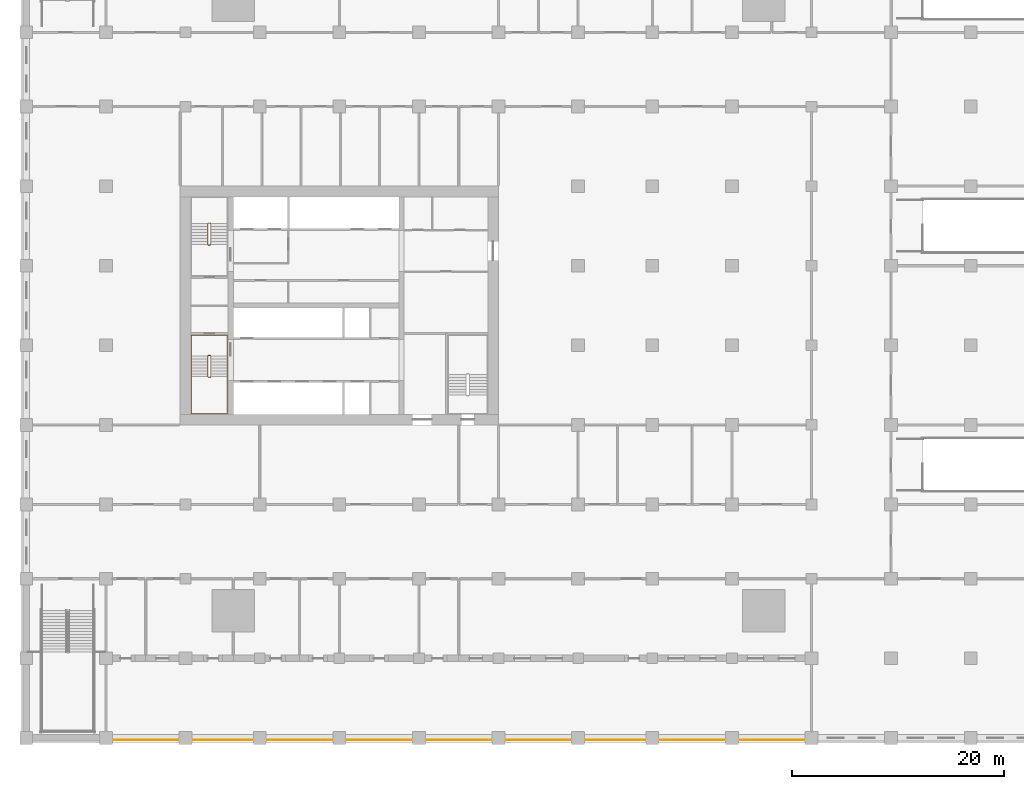
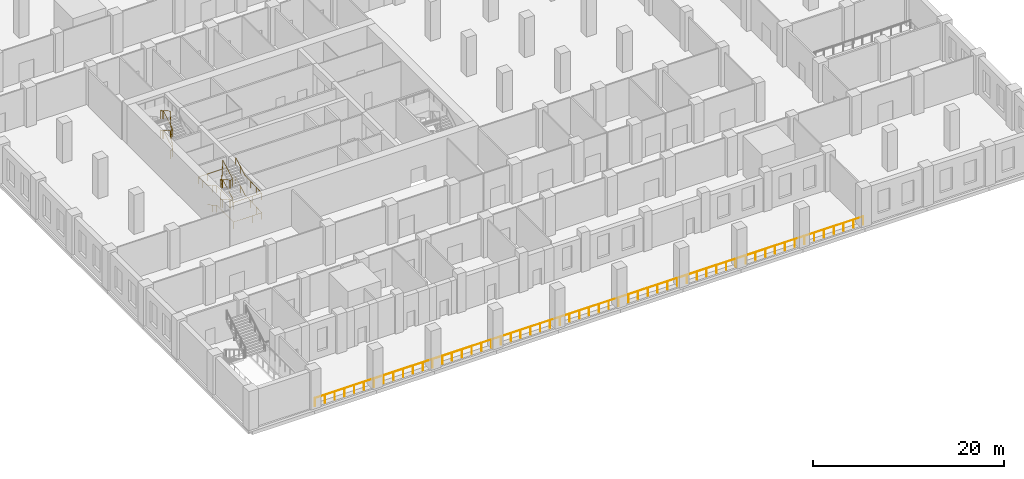
# One storey, part 18 of 22: 4 railings.
"""IFC4 building model written with IfcOpenShell, lengths in metres."""

from ifc_helpers import new_model, si_unit, direction, frame, origin, origin_2d, place, context, subcontext, project, spatial, circle, extrude, material, type_object, element, save


model = new_model("IFC4")

# Units and contexts
model_context = context("Model", 3, precision=1e-05, world=origin(), true_north=direction((0.0, 1.0)))
body_context = subcontext(model_context, "Body", "Model", "MODEL_VIEW")
ifc_project = project(units=[si_unit("LENGTHUNIT", "METRE"), si_unit("AREAUNIT", "SQUARE_METRE"), si_unit("VOLUMEUNIT", "CUBIC_METRE"), si_unit("PLANEANGLEUNIT", "RADIAN"), si_unit("MASSUNIT", "GRAM", prefix="KILO")], contexts=[model_context])

# Site, building, storey
site_placement = place(None, origin())
site = spatial("IfcSite", under=ifc_project, at=site_placement, CompositionType="ELEMENT")
building_placement = place(site_placement, origin())
building = spatial("IfcBuilding", under=site, at=building_placement, Name="Tamorin Gate", CompositionType="ELEMENT")
storey_placement = place(building_placement, frame((0.0, 0.0, 29.0)))
storey = spatial("IfcBuildingStorey", under=building, at=storey_placement, Name="L05", CompositionType="ELEMENT", Elevation=29.0)

# Railings
ifc_material_1 = material(Name="Steel", Category="steel")
railing_type_1 = type_object("IfcRailingType", Name="Podium guard 1100", PredefinedType="GUARDRAIL", material=ifc_material_1)
railing_1_placement = place(storey_placement, frame((23.14990234375, 30.300048828125, 0.0)))
element("IfcRailing", 1, at=railing_1_placement, inside=storey, type_object=railing_type_1, Name="Garden terrace guard", PredefinedType="GUARDRAIL", context=body_context, shape_type="SweptSolid", body=[
    extrude(circle(Radius=0.02392578125, at=origin_2d()), frame((0.0, 0.0, 1.076171875), z_axis=(1.0, 0.0, 0.0), x_axis=(0.0, 1.0, 0.0)), (0.0, 0.0, 1.0), 66.2001953125),
    extrude(circle(Radius=0.02099609375, at=origin_2d()), origin(), (0.0, 0.0, 1.0), 1.052001953125),
    extrude(circle(Radius=0.02099609375, at=origin_2d()), frame((1.18212890625, 0.0, 0.0)), (0.0, 0.0, 1.0), 1.052001953125),
    extrude(circle(Radius=0.02099609375, at=origin_2d()), frame((2.3642578125, 0.0, 0.0)), (0.0, 0.0, 1.0), 1.052001953125),
    extrude(circle(Radius=0.02099609375, at=origin_2d()), frame((3.54638671875, 0.0, 0.0)), (0.0, 0.0, 1.0), 1.052001953125),
    extrude(circle(Radius=0.02099609375, at=origin_2d()), frame((4.728515625, 0.0, 0.0)), (0.0, 0.0, 1.0), 1.052001953125),
    extrude(circle(Radius=0.02099609375, at=origin_2d()), frame((5.91064453125, 0.0, 0.0)), (0.0, 0.0, 1.0), 1.052001953125),
    extrude(circle(Radius=0.02099609375, at=origin_2d()), frame((7.0927734375, 0.0, 0.0)), (0.0, 0.0, 1.0), 1.052001953125),
    extrude(circle(Radius=0.02099609375, at=origin_2d()), frame((8.27490234375, 0.0, 0.0)), (0.0, 0.0, 1.0), 1.052001953125),
    extrude(circle(Radius=0.02099609375, at=origin_2d()), frame((9.457275390625, 0.0, 0.0)), (0.0, 0.0, 1.0), 1.052001953125),
    extrude(circle(Radius=0.02099609375, at=origin_2d()), frame((10.639404296875, 0.0, 0.0)), (0.0, 0.0, 1.0), 1.052001953125),
    extrude(circle(Radius=0.02099609375, at=origin_2d()), frame((11.821533203125, 0.0, 0.0)), (0.0, 0.0, 1.0), 1.052001953125),
    extrude(circle(Radius=0.02099609375, at=origin_2d()), frame((13.003662109375, 0.0, 0.0)), (0.0, 0.0, 1.0), 1.052001953125),
    extrude(circle(Radius=0.02099609375, at=origin_2d()), frame((14.185791015625, 0.0, 0.0)), (0.0, 0.0, 1.0), 1.052001953125),
    extrude(circle(Radius=0.02099609375, at=origin_2d()), frame((15.367919921875, 0.0, 0.0)), (0.0, 0.0, 1.0), 1.052001953125),
    extrude(circle(Radius=0.02099609375, at=origin_2d()), frame((16.550048828125, 0.0, 0.0)), (0.0, 0.0, 1.0), 1.052001953125),
    extrude(circle(Radius=0.02099609375, at=origin_2d()), frame((17.732177734375, 0.0, 0.0)), (0.0, 0.0, 1.0), 1.052001953125),
    extrude(circle(Radius=0.02099609375, at=origin_2d()), frame((18.914306640625, 0.0, 0.0)), (0.0, 0.0, 1.0), 1.052001953125),
    extrude(circle(Radius=0.02099609375, at=origin_2d()), frame((20.096435546875, 0.0, 0.0)), (0.0, 0.0, 1.0), 1.052001953125),
    extrude(circle(Radius=0.02099609375, at=origin_2d()), frame((21.278564453125, 0.0, 0.0)), (0.0, 0.0, 1.0), 1.052001953125),
    extrude(circle(Radius=0.02099609375, at=origin_2d()), frame((22.460693359375, 0.0, 0.0)), (0.0, 0.0, 1.0), 1.052001953125),
    extrude(circle(Radius=0.02099609375, at=origin_2d()), frame((23.642822265625, 0.0, 0.0)), (0.0, 0.0, 1.0), 1.052001953125),
    extrude(circle(Radius=0.02099609375, at=origin_2d()), frame((24.8251953125, 0.0, 0.0)), (0.0, 0.0, 1.0), 1.052001953125),
    extrude(circle(Radius=0.02099609375, at=origin_2d()), frame((26.00732421875, 0.0, 0.0)), (0.0, 0.0, 1.0), 1.052001953125),
    extrude(circle(Radius=0.02099609375, at=origin_2d()), frame((27.189453125, 0.0, 0.0)), (0.0, 0.0, 1.0), 1.052001953125),
    extrude(circle(Radius=0.02099609375, at=origin_2d()), frame((28.37158203125, 0.0, 0.0)), (0.0, 0.0, 1.0), 1.052001953125),
    extrude(circle(Radius=0.02099609375, at=origin_2d()), frame((29.5537109375, 0.0, 0.0)), (0.0, 0.0, 1.0), 1.052001953125),
    extrude(circle(Radius=0.02099609375, at=origin_2d()), frame((30.73583984375, 0.0, 0.0)), (0.0, 0.0, 1.0), 1.052001953125),
    extrude(circle(Radius=0.02099609375, at=origin_2d()), frame((31.91796875, 0.0, 0.0)), (0.0, 0.0, 1.0), 1.052001953125),
    extrude(circle(Radius=0.02099609375, at=origin_2d()), frame((33.10009765625, 0.0, 0.0)), (0.0, 0.0, 1.0), 1.052001953125),
    extrude(circle(Radius=0.02099609375, at=origin_2d()), frame((34.2822265625, 0.0, 0.0)), (0.0, 0.0, 1.0), 1.052001953125),
    extrude(circle(Radius=0.02099609375, at=origin_2d()), frame((35.46435546875, 0.0, 0.0)), (0.0, 0.0, 1.0), 1.052001953125),
    extrude(circle(Radius=0.02099609375, at=origin_2d()), frame((36.646484375, 0.0, 0.0)), (0.0, 0.0, 1.0), 1.052001953125),
    extrude(circle(Radius=0.02099609375, at=origin_2d()), frame((37.82861328125, 0.0, 0.0)), (0.0, 0.0, 1.0), 1.052001953125),
    extrude(circle(Radius=0.02099609375, at=origin_2d()), frame((39.0107421875, 0.0, 0.0)), (0.0, 0.0, 1.0), 1.052001953125),
    extrude(circle(Radius=0.02099609375, at=origin_2d()), frame((40.19287109375, 0.0, 0.0)), (0.0, 0.0, 1.0), 1.052001953125),
    extrude(circle(Radius=0.02099609375, at=origin_2d()), frame((41.375, 0.0, 0.0)), (0.0, 0.0, 1.0), 1.052001953125),
    extrude(circle(Radius=0.02099609375, at=origin_2d()), frame((42.557373046875, 0.0, 0.0)), (0.0, 0.0, 1.0), 1.052001953125),
    extrude(circle(Radius=0.02099609375, at=origin_2d()), frame((43.739501953125, 0.0, 0.0)), (0.0, 0.0, 1.0), 1.052001953125),
    extrude(circle(Radius=0.02099609375, at=origin_2d()), frame((44.921630859375, 0.0, 0.0)), (0.0, 0.0, 1.0), 1.052001953125),
    extrude(circle(Radius=0.02099609375, at=origin_2d()), frame((46.103759765625, 0.0, 0.0)), (0.0, 0.0, 1.0), 1.052001953125),
    extrude(circle(Radius=0.02099609375, at=origin_2d()), frame((47.285888671875, 0.0, 0.0)), (0.0, 0.0, 1.0), 1.052001953125),
    extrude(circle(Radius=0.02099609375, at=origin_2d()), frame((48.468017578125, 0.0, 0.0)), (0.0, 0.0, 1.0), 1.052001953125),
    extrude(circle(Radius=0.02099609375, at=origin_2d()), frame((49.650146484375, 0.0, 0.0)), (0.0, 0.0, 1.0), 1.052001953125),
    extrude(circle(Radius=0.02099609375, at=origin_2d()), frame((50.832275390625, 0.0, 0.0)), (0.0, 0.0, 1.0), 1.052001953125),
    extrude(circle(Radius=0.02099609375, at=origin_2d()), frame((52.014404296875, 0.0, 0.0)), (0.0, 0.0, 1.0), 1.052001953125),
    extrude(circle(Radius=0.02099609375, at=origin_2d()), frame((53.196533203125, 0.0, 0.0)), (0.0, 0.0, 1.0), 1.052001953125),
    extrude(circle(Radius=0.02099609375, at=origin_2d()), frame((54.378662109375, 0.0, 0.0)), (0.0, 0.0, 1.0), 1.052001953125),
    extrude(circle(Radius=0.02099609375, at=origin_2d()), frame((55.560791015625, 0.0, 0.0)), (0.0, 0.0, 1.0), 1.052001953125),
    extrude(circle(Radius=0.02099609375, at=origin_2d()), frame((56.742919921875, 0.0, 0.0)), (0.0, 0.0, 1.0), 1.052001953125),
    extrude(circle(Radius=0.02099609375, at=origin_2d()), frame((57.92529296875, 0.0, 0.0)), (0.0, 0.0, 1.0), 1.052001953125),
    extrude(circle(Radius=0.02099609375, at=origin_2d()), frame((59.107421875, 0.0, 0.0)), (0.0, 0.0, 1.0), 1.052001953125),
    extrude(circle(Radius=0.02099609375, at=origin_2d()), frame((60.28955078125, 0.0, 0.0)), (0.0, 0.0, 1.0), 1.052001953125),
    extrude(circle(Radius=0.02099609375, at=origin_2d()), frame((61.4716796875, 0.0, 0.0)), (0.0, 0.0, 1.0), 1.052001953125),
    extrude(circle(Radius=0.02099609375, at=origin_2d()), frame((62.65380859375, 0.0, 0.0)), (0.0, 0.0, 1.0), 1.052001953125),
    extrude(circle(Radius=0.02099609375, at=origin_2d()), frame((63.8359375, 0.0, 0.0)), (0.0, 0.0, 1.0), 1.052001953125),
    extrude(circle(Radius=0.02099609375, at=origin_2d()), frame((65.01806640625, 0.0, 0.0)), (0.0, 0.0, 1.0), 1.052001953125),
    extrude(circle(Radius=0.02099609375, at=origin_2d()), frame((66.2001953125, 0.0, 0.0)), (0.0, 0.0, 1.0), 1.052001953125),
])
ifc_material_2 = material(Name="Painted steel balustrade", Category="steel")
railing_type_2 = type_object("IfcRailingType", Name="Stair guard 1100", PredefinedType="GUARDRAIL", material=ifc_material_2)
railing_2_placement = place(storey_placement, frame((32.60009765625, 66.5, 0.15625)))
element("IfcRailing", 2, at=railing_2_placement, inside=storey, type_object=railing_type_2, Name="L05 ST1 stair guard 1", PredefinedType="GUARDRAIL", context=body_context, shape_type="SweptSolid", body=[
    extrude(circle(Radius=0.02392578125, at=origin_2d()), frame((0.0, 0.0, 1.076171875), z_axis=(0.0, -0.873232148454, 0.487304437602), x_axis=(1.0, 0.0, 0.0)), (0.0, 0.0, 1.0), 2.244384765625),
    extrude(circle(Radius=0.02392578125, at=origin_2d()), frame((0.0, -1.9599609375, 2.169921875), z_axis=(0.705375805398, -0.708833529934, 0.0), x_axis=(0.708833529934, 0.705375805398, 0.0)), (0.0, 0.0, 1.0), 0.070556640625),
    extrude(circle(Radius=0.02392578125, at=origin_2d()), frame((0.0498046875, -2.010009765625, 2.169921875), z_axis=(1.0, 0.0, 0.0), x_axis=(0.0, 1.0, 0.0)), (0.0, 0.0, 1.0), 0.2001953125),
    extrude(circle(Radius=0.02392578125, at=origin_2d()), frame((0.25, -2.010009765625, 2.169921875), z_axis=(0.290469530425, 0.291893400672, 0.911276958196), x_axis=(-0.708833529934, 0.705375805398, 0.0)), (0.0, 0.0, 1.0), 0.17138671875),
    extrude(circle(Radius=0.02392578125, at=origin_2d()), frame((0.2998046875, -1.9599609375, 2.326171875), z_axis=(0.0, 0.873232148454, 0.487304437602), x_axis=(-1.0, 0.0, 0.0)), (0.0, 0.0, 1.0), 2.244384765625),
    extrude(circle(Radius=0.02392578125, at=origin_2d()), frame((0.2998046875, 0.0, 3.419921875), z_axis=(-0.98054382908, 0.196300278283, 0.0), x_axis=(-0.196300278283, -0.98054382908, 0.0)), (0.0, 0.0, 1.0), 0.2548828125),
    extrude(circle(Radius=0.02392578125, at=origin_2d()), frame((0.0498046875, 0.050048828125, 3.419921875), z_axis=(1.0, 0.0, 0.0), x_axis=(0.0, 1.0, 0.0)), (0.0, 0.0, 1.0), 0.2001953125),
    extrude(circle(Radius=0.02392578125, at=origin_2d()), frame((0.25, 0.050048828125, 3.419921875), z_axis=(-0.836036486302, -0.167370585637, 0.522522803939), x_axis=(0.196300278283, -0.98054382908, 0.0)), (0.0, 0.0, 1.0), 0.299072265625),
    extrude(circle(Radius=0.02392578125, at=origin_2d()), frame((0.0, 0.0, 3.576171875), z_axis=(0.0, -0.873232148454, 0.487304437602), x_axis=(1.0, 0.0, 0.0)), (0.0, 0.0, 1.0), 2.244384765625),
    extrude(circle(Radius=0.02392578125, at=origin_2d()), frame((0.0, -1.9599609375, 4.669921875), z_axis=(0.705375805398, -0.708833529934, 0.0), x_axis=(0.708833529934, 0.705375805398, 0.0)), (0.0, 0.0, 1.0), 0.070556640625),
    extrude(circle(Radius=0.02392578125, at=origin_2d()), frame((0.0498046875, -2.010009765625, 4.669921875), z_axis=(1.0, 0.0, 0.0), x_axis=(0.0, 1.0, 0.0)), (0.0, 0.0, 1.0), 0.2001953125),
    extrude(circle(Radius=0.02392578125, at=origin_2d()), frame((0.25, -2.010009765625, 4.669921875), z_axis=(0.290469530425, 0.291893400672, 0.911276958196), x_axis=(-0.708833529934, 0.705375805398, 0.0)), (0.0, 0.0, 1.0), 0.17138671875),
    extrude(circle(Radius=0.02392578125, at=origin_2d()), frame((0.2998046875, -1.9599609375, 4.826171875), z_axis=(0.0, 0.873232148454, 0.487304437602), x_axis=(-1.0, 0.0, 0.0)), (0.0, 0.0, 1.0), 2.244384765625),
    extrude(circle(Radius=0.02392578125, at=origin_2d()), frame((0.2998046875, 0.0, 5.919921875), z_axis=(-0.04993512161, 0.009996777275, -0.998702432196), x_axis=(-0.196300278283, -0.98054382908, 0.0)), (0.0, 0.0, 1.0), 5.006591796875),
    extrude(circle(Radius=0.02392578125, at=origin_2d()), frame((0.0498046875, 0.050048828125, 0.919921875), z_axis=(1.0, 0.0, 0.0), x_axis=(0.0, 1.0, 0.0)), (0.0, 0.0, 1.0), 0.2001953125),
    extrude(circle(Radius=0.02099609375, at=origin_2d()), origin(), (0.0, 0.0, 1.0), 1.052001953125),
    extrude(circle(Radius=0.02099609375, at=origin_2d()), frame((0.0, -0.97998046875, 0.546875)), (0.0, 0.0, 1.0), 1.052001953125),
    extrude(circle(Radius=0.02099609375, at=origin_2d()), frame((0.0, -1.9599609375, 1.09375)), (0.0, 0.0, 1.0), 1.052001953125),
    extrude(circle(Radius=0.02099609375, at=origin_2d()), frame((0.0498046875, -2.010009765625, 1.09375)), (0.0, 0.0, 1.0), 1.052001953125),
    extrude(circle(Radius=0.02099609375, at=origin_2d()), frame((0.25, -2.010009765625, 1.09375)), (0.0, 0.0, 1.0), 1.052001953125),
    extrude(circle(Radius=0.02099609375, at=origin_2d()), frame((0.2998046875, -1.9599609375, 1.25)), (0.0, 0.0, 1.0), 1.052001953125),
    extrude(circle(Radius=0.02099609375, at=origin_2d()), frame((0.2998046875, -0.97998046875, 1.796875)), (0.0, 0.0, 1.0), 1.052001953125),
    extrude(circle(Radius=0.02099609375, at=origin_2d()), frame((0.2998046875, 0.0, 2.34375)), (0.0, 0.0, 1.0), 1.052001953125),
    extrude(circle(Radius=0.02099609375, at=origin_2d()), frame((0.0498046875, 0.050048828125, 2.34375)), (0.0, 0.0, 1.0), 1.052001953125),
    extrude(circle(Radius=0.02099609375, at=origin_2d()), frame((0.25, 0.050048828125, 2.34375)), (0.0, 0.0, 1.0), 1.052001953125),
    extrude(circle(Radius=0.02099609375, at=origin_2d()), frame((0.0, 0.0, 2.5)), (0.0, 0.0, 1.0), 1.052001953125),
    extrude(circle(Radius=0.02099609375, at=origin_2d()), frame((0.0, -0.97998046875, 3.046875)), (0.0, 0.0, 1.0), 1.052001953125),
    extrude(circle(Radius=0.02099609375, at=origin_2d()), frame((0.0, -1.9599609375, 3.59375)), (0.0, 0.0, 1.0), 1.052001953125),
    extrude(circle(Radius=0.02099609375, at=origin_2d()), frame((0.0498046875, -2.010009765625, 3.59375)), (0.0, 0.0, 1.0), 1.052001953125),
    extrude(circle(Radius=0.02099609375, at=origin_2d()), frame((0.25, -2.010009765625, 3.59375)), (0.0, 0.0, 1.0), 1.052001953125),
    extrude(circle(Radius=0.02099609375, at=origin_2d()), frame((0.2998046875, -1.9599609375, 3.75)), (0.0, 0.0, 1.0), 1.052001953125),
    extrude(circle(Radius=0.02099609375, at=origin_2d()), frame((0.2998046875, -0.97998046875, 4.296875)), (0.0, 0.0, 1.0), 1.052001953125),
    extrude(circle(Radius=0.02099609375, at=origin_2d()), frame((0.2998046875, 0.0, 4.84375)), (0.0, 0.0, 1.0), 1.052001953125),
    extrude(circle(Radius=0.02099609375, at=origin_2d()), frame((0.249755859375, 0.010009765625, 3.84375)), (0.0, 0.0, 1.0), 1.052001953125),
    extrude(circle(Radius=0.02099609375, at=origin_2d()), frame((0.19970703125, 0.02001953125, 2.84375)), (0.0, 0.0, 1.0), 1.052001953125),
    extrude(circle(Radius=0.02099609375, at=origin_2d()), frame((0.14990234375, 0.030029296875, 1.84375)), (0.0, 0.0, 1.0), 1.052001953125),
    extrude(circle(Radius=0.02099609375, at=origin_2d()), frame((0.099853515625, 0.0400390625, 0.84375)), (0.0, 0.0, 1.0), 1.052001953125),
    extrude(circle(Radius=0.02099609375, at=origin_2d()), frame((0.0498046875, 0.050048828125, -0.15625)), (0.0, 0.0, 1.0), 1.052001953125),
    extrude(circle(Radius=0.02099609375, at=origin_2d()), frame((0.25, 0.050048828125, -0.15625)), (0.0, 0.0, 1.0), 1.052001953125),
])
railing_3_placement = place(storey_placement, frame((32.89990234375, 77.0, 0.15625)))
element("IfcRailing", 3, at=railing_3_placement, inside=storey, type_object=railing_type_2, Name="L05 ST2 stair guard 1", PredefinedType="GUARDRAIL", context=body_context, shape_type="SweptSolid", body=[
    extrude(circle(Radius=0.02392578125, at=origin_2d()), frame((0.0, 0.0, 1.076171875), z_axis=(0.0, 0.873232148454, 0.487304437602), x_axis=(-1.0, 0.0, 0.0)), (0.0, 0.0, 1.0), 2.244384765625),
    extrude(circle(Radius=0.02392578125, at=origin_2d()), frame((0.0, 1.9599609375, 2.169921875), z_axis=(-0.705375805398, 0.708833529934, 0.0), x_axis=(-0.708833529934, -0.705375805398, 0.0)), (0.0, 0.0, 1.0), 0.070556640625),
    extrude(circle(Radius=0.02392578125, at=origin_2d()), frame((-0.0498046875, 2.010009765625, 2.169921875), z_axis=(-1.0, 0.0, 0.0), x_axis=(0.0, -1.0, 0.0)), (0.0, 0.0, 1.0), 0.2001953125),
    extrude(circle(Radius=0.02392578125, at=origin_2d()), frame((-0.25, 2.010009765625, 2.169921875), z_axis=(-0.290469530425, -0.291893400672, 0.911276958196), x_axis=(0.708833529934, -0.705375805398, 0.0)), (0.0, 0.0, 1.0), 0.17138671875),
    extrude(circle(Radius=0.02392578125, at=origin_2d()), frame((-0.2998046875, 1.9599609375, 2.326171875), z_axis=(0.0, -0.873232148454, 0.487304437602), x_axis=(1.0, 0.0, 0.0)), (0.0, 0.0, 1.0), 2.244384765625),
    extrude(circle(Radius=0.02392578125, at=origin_2d()), frame((-0.2998046875, 0.0, 3.419921875), z_axis=(0.98054382908, -0.196300278283, 0.0), x_axis=(0.196300278283, 0.98054382908, 0.0)), (0.0, 0.0, 1.0), 0.2548828125),
    extrude(circle(Radius=0.02392578125, at=origin_2d()), frame((-0.0498046875, -0.050048828125, 3.419921875), z_axis=(-1.0, 0.0, 0.0), x_axis=(0.0, -1.0, 0.0)), (0.0, 0.0, 1.0), 0.2001953125),
    extrude(circle(Radius=0.02392578125, at=origin_2d()), frame((-0.25, -0.050048828125, 3.419921875), z_axis=(0.836036486302, 0.167370585637, 0.522522803939), x_axis=(-0.196300278283, 0.98054382908, 0.0)), (0.0, 0.0, 1.0), 0.299072265625),
    extrude(circle(Radius=0.02392578125, at=origin_2d()), frame((0.0, 0.0, 3.576171875), z_axis=(0.0, 0.873232148454, 0.487304437602), x_axis=(-1.0, 0.0, 0.0)), (0.0, 0.0, 1.0), 2.244384765625),
    extrude(circle(Radius=0.02392578125, at=origin_2d()), frame((0.0, 1.9599609375, 4.669921875), z_axis=(-0.705375805398, 0.708833529934, 0.0), x_axis=(-0.708833529934, -0.705375805398, 0.0)), (0.0, 0.0, 1.0), 0.070556640625),
    extrude(circle(Radius=0.02392578125, at=origin_2d()), frame((-0.0498046875, 2.010009765625, 4.669921875), z_axis=(-1.0, 0.0, 0.0), x_axis=(0.0, -1.0, 0.0)), (0.0, 0.0, 1.0), 0.2001953125),
    extrude(circle(Radius=0.02392578125, at=origin_2d()), frame((-0.25, 2.010009765625, 4.669921875), z_axis=(-0.290469530425, -0.291893400672, 0.911276958196), x_axis=(0.708833529934, -0.705375805398, 0.0)), (0.0, 0.0, 1.0), 0.17138671875),
    extrude(circle(Radius=0.02392578125, at=origin_2d()), frame((-0.2998046875, 1.9599609375, 4.826171875), z_axis=(0.0, -0.873232148454, 0.487304437602), x_axis=(1.0, 0.0, 0.0)), (0.0, 0.0, 1.0), 2.244384765625),
    extrude(circle(Radius=0.02392578125, at=origin_2d()), frame((-0.2998046875, 0.0, 5.919921875), z_axis=(0.04993512161, -0.009996777275, -0.998702432196), x_axis=(0.196300278283, 0.98054382908, 0.0)), (0.0, 0.0, 1.0), 5.006591796875),
    extrude(circle(Radius=0.02392578125, at=origin_2d()), frame((-0.0498046875, -0.050048828125, 0.919921875), z_axis=(-1.0, 0.0, 0.0), x_axis=(0.0, -1.0, 0.0)), (0.0, 0.0, 1.0), 0.2001953125),
    extrude(circle(Radius=0.02099609375, at=origin_2d()), origin(), (0.0, 0.0, 1.0), 1.052001953125),
    extrude(circle(Radius=0.02099609375, at=origin_2d()), frame((0.0, 0.97998046875, 0.546875)), (0.0, 0.0, 1.0), 1.052001953125),
    extrude(circle(Radius=0.02099609375, at=origin_2d()), frame((0.0, 1.9599609375, 1.09375)), (0.0, 0.0, 1.0), 1.052001953125),
    extrude(circle(Radius=0.02099609375, at=origin_2d()), frame((-0.0498046875, 2.010009765625, 1.09375)), (0.0, 0.0, 1.0), 1.052001953125),
    extrude(circle(Radius=0.02099609375, at=origin_2d()), frame((-0.25, 2.010009765625, 1.09375)), (0.0, 0.0, 1.0), 1.052001953125),
    extrude(circle(Radius=0.02099609375, at=origin_2d()), frame((-0.2998046875, 1.9599609375, 1.25)), (0.0, 0.0, 1.0), 1.052001953125),
    extrude(circle(Radius=0.02099609375, at=origin_2d()), frame((-0.2998046875, 0.97998046875, 1.796875)), (0.0, 0.0, 1.0), 1.052001953125),
    extrude(circle(Radius=0.02099609375, at=origin_2d()), frame((-0.2998046875, 0.0, 2.34375)), (0.0, 0.0, 1.0), 1.052001953125),
    extrude(circle(Radius=0.02099609375, at=origin_2d()), frame((-0.0498046875, -0.050048828125, 2.34375)), (0.0, 0.0, 1.0), 1.052001953125),
    extrude(circle(Radius=0.02099609375, at=origin_2d()), frame((-0.25, -0.050048828125, 2.34375)), (0.0, 0.0, 1.0), 1.052001953125),
    extrude(circle(Radius=0.02099609375, at=origin_2d()), frame((0.0, 0.0, 2.5)), (0.0, 0.0, 1.0), 1.052001953125),
    extrude(circle(Radius=0.02099609375, at=origin_2d()), frame((0.0, 0.97998046875, 3.046875)), (0.0, 0.0, 1.0), 1.052001953125),
    extrude(circle(Radius=0.02099609375, at=origin_2d()), frame((0.0, 1.9599609375, 3.59375)), (0.0, 0.0, 1.0), 1.052001953125),
    extrude(circle(Radius=0.02099609375, at=origin_2d()), frame((-0.0498046875, 2.010009765625, 3.59375)), (0.0, 0.0, 1.0), 1.052001953125),
    extrude(circle(Radius=0.02099609375, at=origin_2d()), frame((-0.25, 2.010009765625, 3.59375)), (0.0, 0.0, 1.0), 1.052001953125),
    extrude(circle(Radius=0.02099609375, at=origin_2d()), frame((-0.2998046875, 1.9599609375, 3.75)), (0.0, 0.0, 1.0), 1.052001953125),
    extrude(circle(Radius=0.02099609375, at=origin_2d()), frame((-0.2998046875, 0.97998046875, 4.296875)), (0.0, 0.0, 1.0), 1.052001953125),
    extrude(circle(Radius=0.02099609375, at=origin_2d()), frame((-0.2998046875, 0.0, 4.84375)), (0.0, 0.0, 1.0), 1.052001953125),
    extrude(circle(Radius=0.02099609375, at=origin_2d()), frame((-0.249755859375, -0.010009765625, 3.84375)), (0.0, 0.0, 1.0), 1.052001953125),
    extrude(circle(Radius=0.02099609375, at=origin_2d()), frame((-0.19970703125, -0.02001953125, 2.84375)), (0.0, 0.0, 1.0), 1.052001953125),
    extrude(circle(Radius=0.02099609375, at=origin_2d()), frame((-0.14990234375, -0.030029296875, 1.84375)), (0.0, 0.0, 1.0), 1.052001953125),
    extrude(circle(Radius=0.02099609375, at=origin_2d()), frame((-0.099853515625, -0.0400390625, 0.84375)), (0.0, 0.0, 1.0), 1.052001953125),
    extrude(circle(Radius=0.02099609375, at=origin_2d()), frame((-0.0498046875, -0.050048828125, -0.15625)), (0.0, 0.0, 1.0), 1.052001953125),
    extrude(circle(Radius=0.02099609375, at=origin_2d()), frame((-0.25, -0.050048828125, -0.15625)), (0.0, 0.0, 1.0), 1.052001953125),
])
ifc_material_3 = material(Name="Painted steel handrail", Category="steel")
railing_type_3 = type_object("IfcRailingType", Name="Stair handrail 900", PredefinedType="HANDRAIL", material=ifc_material_3)
railing_4_placement = place(storey_placement, frame((31.050048828125, 66.5, 0.15625)))
element("IfcRailing", 4, at=railing_4_placement, inside=storey, type_object=railing_type_3, Name="L05 ST1 stair handrail 1", PredefinedType="HANDRAIL", context=body_context, shape_type="SweptSolid", body=[
    extrude(circle(Radius=0.02392578125, at=origin_2d()), frame((0.0, 0.0, 0.8759765625), z_axis=(0.0, -0.873232148454, 0.487304437602), x_axis=(1.0, 0.0, 0.0)), (0.0, 0.0, 1.0), 2.244384765625),
    extrude(circle(Radius=0.02392578125, at=origin_2d()), frame((0.0, -1.9599609375, 1.9697265625), z_axis=(0.0, -1.0, 0.0), x_axis=(1.0, 0.0, 0.0)), (0.0, 0.0, 1.0), 3.489990234375),
    extrude(circle(Radius=0.02392578125, at=origin_2d()), frame((0.0, -5.449951171875, 1.9697265625), z_axis=(1.0, 0.0, 0.0), x_axis=(0.0, 1.0, 0.0)), (0.0, 0.0, 1.0), 3.39990234375),
    extrude(circle(Radius=0.02392578125, at=origin_2d()), frame((3.39990234375, -5.449951171875, 1.9697265625), z_axis=(0.0, 0.99899928745, 0.044726096115), x_axis=(-1.0, 0.0, 0.0)), (0.0, 0.0, 1.0), 3.493408203125),
    extrude(circle(Radius=0.02392578125, at=origin_2d()), frame((3.39990234375, -1.9599609375, 2.1259765625), z_axis=(0.0, 0.873232148454, 0.487304437602), x_axis=(-1.0, 0.0, 0.0)), (0.0, 0.0, 1.0), 2.244384765625),
    extrude(circle(Radius=0.02392578125, at=origin_2d()), frame((3.39990234375, 0.0, 3.2197265625), z_axis=(0.0, 1.0, 0.0), x_axis=(-1.0, 0.0, 0.0)), (0.0, 0.0, 1.0), 1.949951171875),
    extrude(circle(Radius=0.02392578125, at=origin_2d()), frame((3.39990234375, 1.949951171875, 3.2197265625), z_axis=(-1.0, 0.0, 0.0), x_axis=(0.0, -1.0, 0.0)), (0.0, 0.0, 1.0), 3.39990234375),
    extrude(circle(Radius=0.02392578125, at=origin_2d()), frame((0.0, 1.949951171875, 3.2197265625), z_axis=(0.0, -0.996804952581, 0.079874191768), x_axis=(1.0, 0.0, 0.0)), (0.0, 0.0, 1.0), 1.956298828125),
    extrude(circle(Radius=0.02392578125, at=origin_2d()), frame((0.0, 0.0, 3.3759765625), z_axis=(0.0, -0.873232148454, 0.487304437602), x_axis=(1.0, 0.0, 0.0)), (0.0, 0.0, 1.0), 2.244384765625),
    extrude(circle(Radius=0.02392578125, at=origin_2d()), frame((0.0, -1.9599609375, 4.4697265625), z_axis=(0.0, -1.0, 0.0), x_axis=(1.0, 0.0, 0.0)), (0.0, 0.0, 1.0), 3.489990234375),
    extrude(circle(Radius=0.02392578125, at=origin_2d()), frame((0.0, -5.449951171875, 4.4697265625), z_axis=(1.0, 0.0, 0.0), x_axis=(0.0, 1.0, 0.0)), (0.0, 0.0, 1.0), 3.39990234375),
    extrude(circle(Radius=0.02392578125, at=origin_2d()), frame((3.39990234375, -5.449951171875, 4.4697265625), z_axis=(0.0, 0.99899928745, 0.044726096115), x_axis=(-1.0, 0.0, 0.0)), (0.0, 0.0, 1.0), 3.493408203125),
    extrude(circle(Radius=0.02392578125, at=origin_2d()), frame((3.39990234375, -1.9599609375, 4.6259765625), z_axis=(0.0, 0.873232148454, 0.487304437602), x_axis=(-1.0, 0.0, 0.0)), (0.0, 0.0, 1.0), 2.244384765625),
    extrude(circle(Radius=0.02099609375, at=origin_2d()), origin(), (0.0, 0.0, 1.0), 0.851806640625),
    extrude(circle(Radius=0.02099609375, at=origin_2d()), frame((0.0, -0.97998046875, 0.546875)), (0.0, 0.0, 1.0), 0.851806640625),
    extrude(circle(Radius=0.02099609375, at=origin_2d()), frame((0.0, -1.9599609375, 1.09375)), (0.0, 0.0, 1.0), 0.851806640625),
    extrude(circle(Radius=0.02099609375, at=origin_2d()), frame((0.0, -3.123291015625, 1.09375)), (0.0, 0.0, 1.0), 0.851806640625),
    extrude(circle(Radius=0.02099609375, at=origin_2d()), frame((0.0, -4.28662109375, 1.09375)), (0.0, 0.0, 1.0), 0.851806640625),
    extrude(circle(Radius=0.02099609375, at=origin_2d()), frame((0.0, -5.449951171875, 1.09375)), (0.0, 0.0, 1.0), 0.851806640625),
    extrude(circle(Radius=0.02099609375, at=origin_2d()), frame((1.13330078125, -5.449951171875, 1.09375)), (0.0, 0.0, 1.0), 0.851806640625),
    extrude(circle(Radius=0.02099609375, at=origin_2d()), frame((2.2666015625, -5.449951171875, 1.09375)), (0.0, 0.0, 1.0), 0.851806640625),
    extrude(circle(Radius=0.02099609375, at=origin_2d()), frame((3.39990234375, -5.449951171875, 1.09375)), (0.0, 0.0, 1.0), 0.851806640625),
    extrude(circle(Radius=0.02099609375, at=origin_2d()), frame((3.39990234375, -4.28662109375, 1.145751953125)), (0.0, 0.0, 1.0), 0.851806640625),
    extrude(circle(Radius=0.02099609375, at=origin_2d()), frame((3.39990234375, -3.123291015625, 1.197998046875)), (0.0, 0.0, 1.0), 0.851806640625),
    extrude(circle(Radius=0.02099609375, at=origin_2d()), frame((3.39990234375, -1.9599609375, 1.25)), (0.0, 0.0, 1.0), 0.851806640625),
    extrude(circle(Radius=0.02099609375, at=origin_2d()), frame((3.39990234375, -0.97998046875, 1.796875)), (0.0, 0.0, 1.0), 0.851806640625),
    extrude(circle(Radius=0.02099609375, at=origin_2d()), frame((3.39990234375, 0.0, 2.34375)), (0.0, 0.0, 1.0), 0.851806640625),
    extrude(circle(Radius=0.02099609375, at=origin_2d()), frame((3.39990234375, 0.97509765625, 2.34375)), (0.0, 0.0, 1.0), 0.851806640625),
    extrude(circle(Radius=0.02099609375, at=origin_2d()), frame((3.39990234375, 1.949951171875, 2.34375)), (0.0, 0.0, 1.0), 0.851806640625),
    extrude(circle(Radius=0.02099609375, at=origin_2d()), frame((2.2666015625, 1.949951171875, 2.34375)), (0.0, 0.0, 1.0), 0.851806640625),
    extrude(circle(Radius=0.02099609375, at=origin_2d()), frame((1.13330078125, 1.949951171875, 2.34375)), (0.0, 0.0, 1.0), 0.851806640625),
    extrude(circle(Radius=0.02099609375, at=origin_2d()), frame((0.0, 1.949951171875, 2.34375)), (0.0, 0.0, 1.0), 0.851806640625),
    extrude(circle(Radius=0.02099609375, at=origin_2d()), frame((0.0, 0.97509765625, 2.421875)), (0.0, 0.0, 1.0), 0.851806640625),
    extrude(circle(Radius=0.02099609375, at=origin_2d()), frame((0.0, 0.0, 2.5)), (0.0, 0.0, 1.0), 0.851806640625),
    extrude(circle(Radius=0.02099609375, at=origin_2d()), frame((0.0, -0.97998046875, 3.046875)), (0.0, 0.0, 1.0), 0.851806640625),
    extrude(circle(Radius=0.02099609375, at=origin_2d()), frame((0.0, -1.9599609375, 3.59375)), (0.0, 0.0, 1.0), 0.851806640625),
    extrude(circle(Radius=0.02099609375, at=origin_2d()), frame((0.0, -3.123291015625, 3.59375)), (0.0, 0.0, 1.0), 0.851806640625),
    extrude(circle(Radius=0.02099609375, at=origin_2d()), frame((0.0, -4.28662109375, 3.59375)), (0.0, 0.0, 1.0), 0.851806640625),
    extrude(circle(Radius=0.02099609375, at=origin_2d()), frame((0.0, -5.449951171875, 3.59375)), (0.0, 0.0, 1.0), 0.851806640625),
    extrude(circle(Radius=0.02099609375, at=origin_2d()), frame((1.13330078125, -5.449951171875, 3.59375)), (0.0, 0.0, 1.0), 0.851806640625),
    extrude(circle(Radius=0.02099609375, at=origin_2d()), frame((2.2666015625, -5.449951171875, 3.59375)), (0.0, 0.0, 1.0), 0.851806640625),
    extrude(circle(Radius=0.02099609375, at=origin_2d()), frame((3.39990234375, -5.449951171875, 3.59375)), (0.0, 0.0, 1.0), 0.851806640625),
    extrude(circle(Radius=0.02099609375, at=origin_2d()), frame((3.39990234375, -4.28662109375, 3.645751953125)), (0.0, 0.0, 1.0), 0.851806640625),
    extrude(circle(Radius=0.02099609375, at=origin_2d()), frame((3.39990234375, -3.123291015625, 3.697998046875)), (0.0, 0.0, 1.0), 0.851806640625),
    extrude(circle(Radius=0.02099609375, at=origin_2d()), frame((3.39990234375, -1.9599609375, 3.75)), (0.0, 0.0, 1.0), 0.851806640625),
    extrude(circle(Radius=0.02099609375, at=origin_2d()), frame((3.39990234375, -0.97998046875, 4.296875)), (0.0, 0.0, 1.0), 0.851806640625),
    extrude(circle(Radius=0.02099609375, at=origin_2d()), frame((3.39990234375, 0.0, 4.84375)), (0.0, 0.0, 1.0), 0.851806640625),
])

save(model, "model.ifc")
